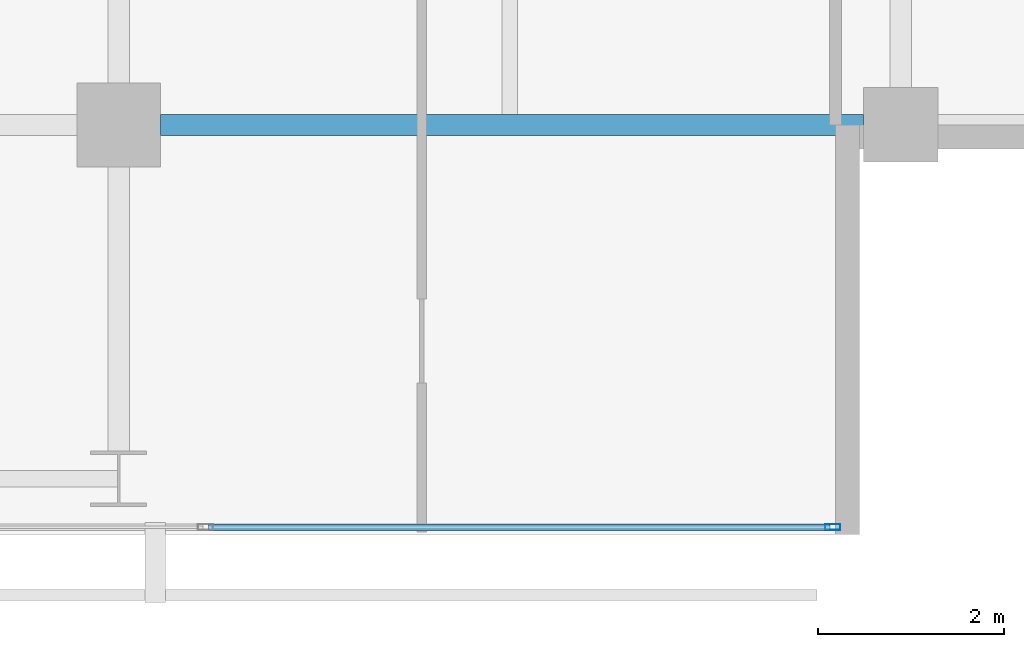
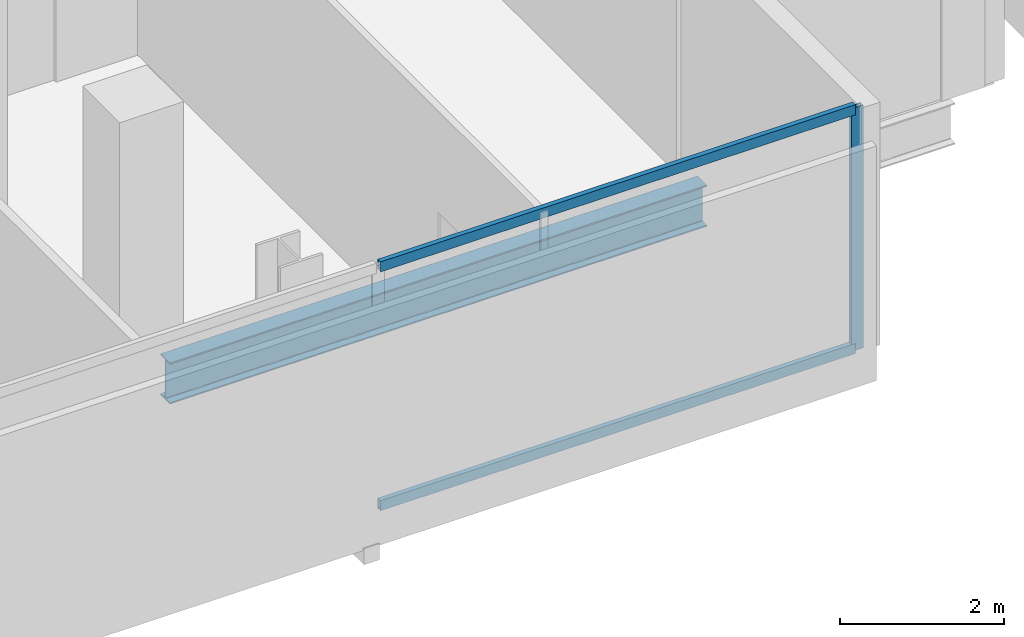
# One storey, part 13 of 33: 3 members, 1 beam, 1 element without a shape of its own.
"""IFC4 building model written with IfcOpenShell, lengths in metres."""

from ifc_helpers import new_model, si_unit, direction, frame, origin, origin_2d, place, context, subcontext, project, spatial, hollow_rectangle, i_section, extrude, material, layer, layer_set, material_profile, profile_set, type_object, element, aggregate, save


model = new_model("IFC4")

# Units and contexts
model_context = context("Model", 3, precision=1e-05, world=origin(), true_north=direction((0.0, 1.0)))
body_context = subcontext(model_context, "Body", "Model", "MODEL_VIEW")
ifc_project = project(units=[si_unit("LENGTHUNIT", "METRE"), si_unit("AREAUNIT", "SQUARE_METRE"), si_unit("VOLUMEUNIT", "CUBIC_METRE"), si_unit("PLANEANGLEUNIT", "RADIAN"), si_unit("MASSUNIT", "GRAM", prefix="KILO")], contexts=[model_context])

# Site, building, storey
site_placement = place(None, origin())
site = spatial("IfcSite", under=ifc_project, at=site_placement, CompositionType="ELEMENT")
building_placement = place(site_placement, origin())
building = spatial("IfcBuilding", under=site, at=building_placement, Name="Maruvema Waterfront Hotel and Observation Tower", CompositionType="ELEMENT")
storey_placement = place(building_placement, frame((0.0, 0.0, 138.949951171875)))
storey = spatial("IfcBuildingStorey", under=building, at=storey_placement, Name="L33", CompositionType="ELEMENT", Elevation=138.949951171875)

# Curtain wall, members
ifc_material_1 = material(Name="Anodised bronze aluminium and solar-control low-E IGU", Category="aluminium")
ifc_layer = layer(ifc_material_1, 0.159912109375, Name="Zone 2 Amber Inner Thermal Curtain Wall System CW-03")
ifc_layer_set = layer_set([ifc_layer], Name="Anodised bronze aluminium and solar-control low-E IGU")
curtain_wall_type = type_object("IfcCurtainWallType", Name="Zone 2 Amber Inner Thermal Curtain Wall System CW-03", PredefinedType="USERDEFINED", material=ifc_layer_set)
curtain_wall_placement = place(storey_placement, origin())
curtain_wall = element("IfcCurtainWall", 1, at=curtain_wall_placement, inside=storey, type_object=curtain_wall_type, Name="L33 Curtain Wall CW-L33-S", ObjectType="UNITISED CURTAIN WALL", PredefinedType="USERDEFINED")
ifc_material_2 = material(Name="Anodised architectural bronze aluminium", Category="aluminium")
ifc_material_profile_1 = material_profile(ifc_material_2, hollow_rectangle(XDim=0.070068359375, YDim=0.14990234375, WallThickness=0.00390625, at=origin_2d()), Name="ALU-T70x150")
ifc_profile_set_1 = profile_set([ifc_material_profile_1], Name="Anodised architectural bronze aluminium")
member_type_1 = type_object("IfcMemberType", Name="Curtain Wall Horizontal Transom ALU-T70x150", PredefinedType="USERDEFINED", material=ifc_profile_set_1)
member_1_placement = place(storey_placement, frame((51.36328125, 4.679931640625, 0.030029296875), z_axis=(1.0, 0.0, 0.0), x_axis=(0.0, 1.0, 0.0)))
member_1 = element("IfcMember", 2, at=member_1_placement, type_object=member_type_1, Name="CW-03 transom 6.1", ObjectType="TRANSOM", PredefinedType="USERDEFINED", context=body_context, shape_type="SweptSolid", body=[
    extrude(hollow_rectangle(XDim=0.070068359375, YDim=0.14990234375, WallThickness=0.00390625, at=origin_2d()), origin(), (0.0, 0.0, 1.0), 6.6767578125),
])
member_2_placement = place(storey_placement, frame((51.36328125, 4.679931640625, 3.580078125), z_axis=(1.0, 0.0, 0.0), x_axis=(0.0, 1.0, 0.0)))
member_2 = element("IfcMember", 3, at=member_2_placement, type_object=member_type_1, Name="CW-03 transom 6.2", ObjectType="TRANSOM", PredefinedType="USERDEFINED", context=body_context, shape_type="SweptSolid", body=[
    extrude(hollow_rectangle(XDim=0.070068359375, YDim=0.14990234375, WallThickness=0.00390625, at=origin_2d()), origin(), (0.0, 0.0, 1.0), 6.6767578125),
])
ifc_material_3 = material(Name="Anodised architectural bronze aluminium", Category="aluminium")
ifc_material_profile_2 = material_profile(ifc_material_3, hollow_rectangle(XDim=0.06494140625, YDim=0.1650390625, WallThickness=0.00390625, at=origin_2d()), Name="ALU-M65x165")
ifc_profile_set_2 = profile_set([ifc_material_profile_2], Name="Anodised architectural bronze aluminium")
member_type_2 = type_object("IfcMemberType", Name="Curtain Wall Primary Mullion ALU-M65x165", PredefinedType="MULLION", material=ifc_profile_set_2)
member_3_placement = place(storey_placement, frame((58.070068359375, 4.679931640625, 0.0), z_axis=(0.0, 0.0, 1.0), x_axis=(0.0, 1.0, 0.0)))
member_3 = element("IfcMember", 4, at=member_3_placement, type_object=member_type_2, Name="CW-03 mullion 7", PredefinedType="MULLION", context=body_context, shape_type="SweptSolid", body=[
    extrude(hollow_rectangle(XDim=0.06494140625, YDim=0.1650390625, WallThickness=0.00390625, at=origin_2d()), origin(), (0.0, 0.0, 1.0), 3.610107421875),
])
aggregate(curtain_wall, [member_3, member_1, member_2])

# Beam
ifc_material_4 = material(Name="Steel ASTM A572 Grade 50", Category="steel")
ifc_material_profile_3 = material_profile(ifc_material_4, i_section(OverallWidth=0.22900390625, OverallDepth=0.612060546875, WebThickness=0.011962890625, FlangeThickness=0.01953125, FilletRadius=0.01806640625, at=origin_2d()), Name="W610x125.0")
ifc_profile_set_3 = profile_set([ifc_material_profile_3], Name="Steel ASTM A572 Grade 50")
beam_type = type_object("IfcBeamType", Name="Primary Floor Girder W610x125.0", PredefinedType="BEAM", material=ifc_profile_set_3)
beam_placement = place(storey_placement, frame((50.85009765625, 9.0, -0.5458984375), z_axis=(1.0, 0.0, 0.0), x_axis=(0.0, 1.0, 0.0)))
element("IfcBeam", 5, at=beam_placement, inside=storey, type_object=beam_type, Name="L33 Floor Girder EW-09", PredefinedType="BEAM", context=body_context, shape_type="SweptSolid", body=[
    extrude(i_section(OverallWidth=0.22900390625, OverallDepth=0.612060546875, WebThickness=0.011962890625, FlangeThickness=0.01953125, FilletRadius=0.01806640625, at=origin_2d()), origin(), (0.0, 0.0, 1.0), 7.5498046875),
])

save(model, "model.ifc")
